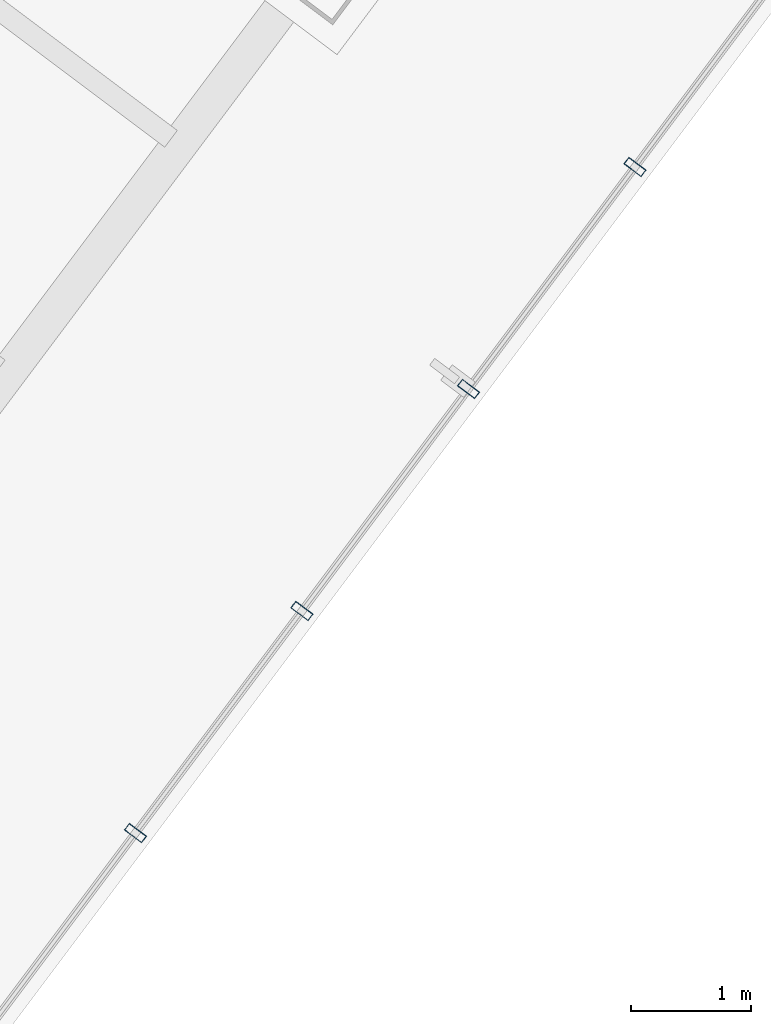
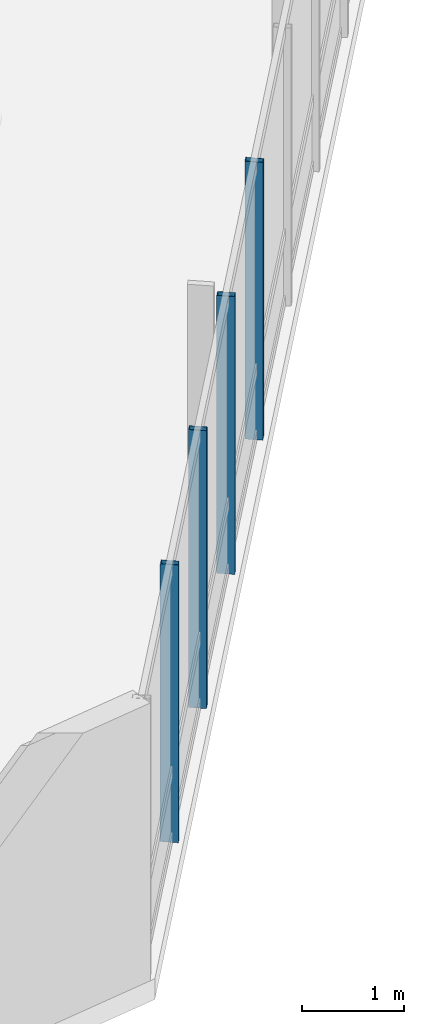
# One storey, part 8 of 29: 4 members, 1 element without a shape of its own.
"""IFC4 building model written with IfcOpenShell, lengths in metres."""

import ifcopenshell
import ifcopenshell.guid

model = None  # the IFC model being written
_history = None  # IfcOwnerHistory: only IFC2X3 demands one
_inside = {}  # id of a spatial element -> (the spatial element, [elements in it])
_under = {}  # id of a project, library or spatial element -> (it, [spatial elements below it])
_declared = {}  # id of a project -> (the project, [libraries it declares])
_typed = {}  # id of a type object -> (the type object, [elements of that type])
_made_of = {}  # id of a material, layer set ... -> (it, [elements and type objects made of it])


def new_model(schema):
    """Start an empty IFC model of exactly this schema.

    Asked for "IFC4X3", IfcOpenShell would pick the latest addendum, in which some entities
    have other attributes; the version numbers below select the first issue.
    IFC2X3 requires an IfcOwnerHistory on every rooted entity: one is made here for all.
    """
    global model, _history
    if schema == "IFC4X3":
        model = ifcopenshell.file(schema_version=(4, 3, 0, 0))
    else:
        model = ifcopenshell.file(schema=schema)
    _inside.clear()
    _under.clear()
    _declared.clear()
    _typed.clear()
    _made_of.clear()
    _history = None
    if model.schema == "IFC2X3":
        org = make("IfcOrganization", Name="unknown")
        user = make(
            "IfcPersonAndOrganization",
            ThePerson=make("IfcPerson", FamilyName="unknown"),
            TheOrganization=org,
        )
        app = make(
            "IfcApplication",
            ApplicationDeveloper=org,
            Version="unknown",
            ApplicationFullName="unknown",
            ApplicationIdentifier="unknown",
        )
        _history = make(
            "IfcOwnerHistory",
            OwningUser=user,
            OwningApplication=app,
            ChangeAction="ADDED",
            CreationDate=0,
        )
    return model


def make(cls, **values):
    """One entity of the class cls with the attributes given. An attribute that is None is left unset."""
    return model.create_entity(
        cls, **{name: value for name, value in values.items() if value is not None}
    )


def rooted(cls, **values):
    """An entity with a GlobalId (a new one), such as an element, a storey or a relation."""
    return make(cls, GlobalId=ifcopenshell.guid.new(), OwnerHistory=_history, **values)


def si_unit(unit_type, name, prefix=None):
    """IfcSIUnit, for example si_unit("LENGTHUNIT", "METRE", prefix="MILLI")."""
    return make("IfcSIUnit", UnitType=unit_type, Prefix=prefix, Name=name)


def assignment(units):
    """IfcUnitAssignment: the units of a project."""
    return None if units is None else make("IfcUnitAssignment", Units=units)


def point(xyz):
    """IfcCartesianPoint."""
    return None if xyz is None else make("IfcCartesianPoint", Coordinates=xyz)


def direction(xyz):
    """IfcDirection."""
    return None if xyz is None else make("IfcDirection", DirectionRatios=xyz)


def frame(location, z_axis=None, x_axis=None):
    """IfcAxis2Placement3D, a coordinate frame: its origin and axes. An axis left out is left unset."""
    return make(
        "IfcAxis2Placement3D",
        Location=point(location),
        Axis=direction(z_axis),
        RefDirection=direction(x_axis),
    )


def frame_2d(location, x_axis=None):
    """IfcAxis2Placement2D, a coordinate frame in the plane: its origin and x axis."""
    return make(
        "IfcAxis2Placement2D", Location=point(location), RefDirection=direction(x_axis)
    )


def origin():
    """The frame at (0, 0, 0) with its axes left unset."""
    return frame((0.0, 0.0, 0.0))


def origin_2d():
    """The frame at (0, 0) in the plane with its x axis left unset."""
    return frame_2d((0.0, 0.0))


def place(relative_to, where):
    """IfcLocalPlacement: puts the frame where relative to a parent placement (None: the world)."""
    return make(
        "IfcLocalPlacement", PlacementRelTo=relative_to, RelativePlacement=where
    )


def context(
    kind, dimensions, precision=None, world=None, true_north=None, identifier=None
):
    """IfcGeometricRepresentationContext, for example the 3D "Model" context."""
    return make(
        "IfcGeometricRepresentationContext",
        ContextIdentifier=identifier,
        ContextType=kind,
        CoordinateSpaceDimension=dimensions,
        Precision=precision,
        WorldCoordinateSystem=world,
        TrueNorth=true_north,
    )


def subcontext(parent, identifier, kind, view, scale=None):
    """IfcGeometricRepresentationSubContext, for example "Body" below "Model"."""
    return make(
        "IfcGeometricRepresentationSubContext",
        ContextIdentifier=identifier,
        ContextType=kind,
        ParentContext=parent,
        TargetScale=scale,
        TargetView=view,
    )


def project(units=None, contexts=None):
    """IfcProject with its units and contexts."""
    return rooted(
        "IfcProject",
        Name="project",
        RepresentationContexts=contexts,
        UnitsInContext=assignment(units),
    )


def spatial(cls, under=None, at=None, **own):
    """A site, building, storey or space (cls), placed at a placement, below another one or the project."""
    s = rooted(cls, ObjectPlacement=at, **own)
    if under is not None:
        _under.setdefault(under.id(), (under, []))[1].append(s)
    return s


def profile(cls, at=None, kind="AREA", **sizes):
    """A parametric profile (cls). Its sizes go by their IFC names, for example OverallWidth=200.0."""
    return make(cls, ProfileType=kind, Position=at, **sizes)


def hollow_rectangle(**sizes):
    """IfcRectangleHollowProfileDef."""
    return profile("IfcRectangleHollowProfileDef", **sizes)


def extrude(swept, where, along, depth):
    """IfcExtrudedAreaSolid: the profile swept, set in the frame where, extruded along a direction by depth."""
    return make(
        "IfcExtrudedAreaSolid",
        SweptArea=swept,
        Position=where,
        ExtrudedDirection=direction(along),
        Depth=depth,
    )


def shape(context_of_items, identifier, shape_type, items):
    """IfcShapeRepresentation: the items that make up one representation, for example the "Body"."""
    return make(
        "IfcShapeRepresentation",
        ContextOfItems=context_of_items,
        RepresentationIdentifier=identifier,
        RepresentationType=shape_type,
        Items=items,
    )


def material(Name=None, Category=None):
    """IfcMaterial."""
    return make("IfcMaterial", Name=Name, Category=Category)


def layer(
    of_material, thickness, ventilated=None, Name=None, Category=None, Priority=None
):
    """IfcMaterialLayer: one layer of a wall or slab, of a material (None: an air gap)."""
    return make(
        "IfcMaterialLayer",
        Material=of_material,
        LayerThickness=thickness,
        IsVentilated=ventilated,
        Name=Name,
        Category=Category,
        Priority=Priority,
    )


def layer_set(layers, Name=None):
    """IfcMaterialLayerSet."""
    return make("IfcMaterialLayerSet", MaterialLayers=layers, LayerSetName=Name)


def material_profile(
    of_material, cross_section, Name=None, Category=None, Priority=None
):
    """IfcMaterialProfile: a cross section and its material."""
    return make(
        "IfcMaterialProfile",
        Name=Name,
        Material=of_material,
        Profile=cross_section,
        Priority=Priority,
        Category=Category,
    )


def profile_set(profiles, Name=None, composite=None):
    """IfcMaterialProfileSet."""
    return make(
        "IfcMaterialProfileSet",
        Name=Name,
        MaterialProfiles=profiles,
        CompositeProfile=composite,
    )


def made_of(thing, what):
    """Note that an element or type object is made of a material, layer set ...; save() writes the relation."""
    if what is not None:
        _made_of.setdefault(what.id(), (what, []))[1].append(thing)
    return thing


def type_object(cls, material=None, **own):
    """A type object (cls), such as IfcWallType, which elements share."""
    return made_of(rooted(cls, **own), material)


def element(
    cls,
    number,
    at=None,
    inside=None,
    cuts=None,
    type_object=None,
    material=None,
    context=None,
    identifier="Body",
    shape_type=None,
    held_by="IfcProductDefinitionShape",
    body=None,
    shapes=None,
    **own,
):
    """One element of the class cls, such as IfcWall. Its Tag is "e" and its number.

    at: its placement. inside: the storey or other place that contains it. cuts: it is an
    opening in that element (IfcRelVoidsElement). A single representation is given by context,
    identifier, shape_type and body (its items); several are given by shapes. held_by: the class
    of the entity that holds the representations. save() writes the other relations.
    """
    e = rooted(cls, Tag="e%d" % number, ObjectPlacement=at, **own)
    if body is not None:
        shapes = [shape(context, identifier, shape_type, body)]
    if shapes is not None:
        e.Representation = make(held_by, Representations=shapes)
    if inside is not None:
        _inside.setdefault(inside.id(), (inside, []))[1].append(e)
    if cuts is not None:
        rooted(
            "IfcRelVoidsElement", RelatingBuildingElement=cuts, RelatedOpeningElement=e
        )
    if type_object is not None:
        _typed.setdefault(type_object.id(), (type_object, []))[1].append(e)
    return made_of(e, material)


def aggregate(whole, parts):
    """IfcRelAggregates: a whole, such as a stair, and the parts it consists of."""
    return rooted("IfcRelAggregates", RelatingObject=whole, RelatedObjects=parts)


def save(model, path):
    """Write the relations noted so far, then the file.

    IfcRelAggregates (storeys below a building ...), IfcRelContainedInSpatialStructure (elements
    in a storey), IfcRelDefinesByType, IfcRelAssociatesMaterial and IfcRelDeclares: one each for
    every whole, place, type object, material and project.
    """
    for whole, parts in _under.values():
        aggregate(whole, parts)
    for where, things in _inside.values():
        rooted(
            "IfcRelContainedInSpatialStructure",
            RelatedElements=things,
            RelatingStructure=where,
        )
    for kind, things in _typed.values():
        rooted("IfcRelDefinesByType", RelatedObjects=things, RelatingType=kind)
    for what, things in _made_of.values():
        rooted("IfcRelAssociatesMaterial", RelatedObjects=things, RelatingMaterial=what)
    for by, libraries in _declared.values():
        rooted("IfcRelDeclares", RelatingContext=by, RelatedDefinitions=libraries)
    model.write(path)


model = new_model("IFC4")

# Units and contexts
model_context = context("Model", 3, precision=1e-05, world=origin(), true_north=direction((0.0, 1.0)))
body_context = subcontext(model_context, "Body", "Model", "MODEL_VIEW")
ifc_project = project(units=[si_unit("LENGTHUNIT", "METRE"), si_unit("AREAUNIT", "SQUARE_METRE"), si_unit("VOLUMEUNIT", "CUBIC_METRE"), si_unit("PLANEANGLEUNIT", "RADIAN"), si_unit("MASSUNIT", "GRAM", prefix="KILO")], contexts=[model_context])

# Site, building, storey
site_placement = place(None, origin())
site = spatial("IfcSite", under=ifc_project, at=site_placement, CompositionType="ELEMENT")
building_placement = place(site_placement, origin())
building = spatial("IfcBuilding", under=site, at=building_placement, Name="Hatsunagi Terrace Concourse", CompositionType="ELEMENT")
storey_placement = place(building_placement, frame((0.0, 0.0, 126.449951171875)))
storey = spatial("IfcBuildingStorey", under=building, at=storey_placement, Name="L33", CompositionType="ELEMENT", Elevation=126.449951171875)

# Curtain wall, members
ifc_material_1 = material(Name="Anodised Aluminium Alloy 6063-T5", Category="aluminium")
ifc_layer = layer(ifc_material_1, 0.199951171875)
ifc_layer_set = layer_set([ifc_layer], Name="OfficeZone1_CW03")
curtain_wall_type = type_object("IfcCurtainWallType", Name="OfficeZone1_CW03", PredefinedType="NOTDEFINED", material=ifc_layer_set)
curtain_wall_placement = place(storey_placement, origin())
curtain_wall = element("IfcCurtainWall", 1, at=curtain_wall_placement, inside=storey, type_object=curtain_wall_type, Name="Unitised Curtain Wall CW-03 CW-L33-03", PredefinedType="NOTDEFINED")
ifc_material_2 = material(Name="Anodised Aluminium Alloy 6063-T5", Category="aluminium")
ifc_material_profile = material_profile(ifc_material_2, hollow_rectangle(XDim=0.070068359375, YDim=0.179931640625, WallThickness=0.00390625, at=origin_2d()), Name="ALU-MUL-180x70x4")
ifc_profile_set = profile_set([ifc_material_profile], Name="Anodised Aluminium Alloy 6063-T5")
member_type = type_object("IfcMemberType", Name="CurtainWallMullion_180x70", PredefinedType="MULLION", material=ifc_profile_set)
member_1_placement = place(storey_placement, frame((62.132080078125, 10.3759765625, 0.0), z_axis=(0.0, 0.0, 1.0), x_axis=(-0.599969314634, -0.800023013105, 0.0)))
member_1 = element("IfcMember", 2, at=member_1_placement, type_object=member_type, Name="Curtain Wall Mullion MUL-02", PredefinedType="MULLION", context=body_context, shape_type="SweptSolid", body=[
    extrude(hollow_rectangle(XDim=0.070068359375, YDim=0.179931640625, WallThickness=0.00390625, at=origin_2d()), origin(), (0.0, 0.0, 1.0), 3.340087890625),
])
member_2_placement = place(storey_placement, frame((60.739990234375, 8.51904296875, 0.0), z_axis=(0.0, 0.0, 1.0), x_axis=(-0.599969314634, -0.800023013105, 0.0)))
member_2 = element("IfcMember", 3, at=member_2_placement, type_object=member_type, Name="Curtain Wall Mullion MUL-02", PredefinedType="MULLION", context=body_context, shape_type="SweptSolid", body=[
    extrude(hollow_rectangle(XDim=0.070068359375, YDim=0.179931640625, WallThickness=0.00390625, at=origin_2d()), origin(), (0.0, 0.0, 1.0), 3.340087890625),
])
member_3_placement = place(storey_placement, frame((59.346923828125, 6.6630859375, 0.0), z_axis=(0.0, 0.0, 1.0), x_axis=(-0.599969314634, -0.800023013105, 0.0)))
member_3 = element("IfcMember", 4, at=member_3_placement, type_object=member_type, Name="Curtain Wall Mullion MUL-02", PredefinedType="MULLION", context=body_context, shape_type="SweptSolid", body=[
    extrude(hollow_rectangle(XDim=0.070068359375, YDim=0.179931640625, WallThickness=0.00390625, at=origin_2d()), origin(), (0.0, 0.0, 1.0), 3.340087890625),
])
member_4_placement = place(storey_placement, frame((57.955078125, 4.805908203125, 0.0), z_axis=(0.0, 0.0, 1.0), x_axis=(-0.599969314634, -0.800023013105, 0.0)))
member_4 = element("IfcMember", 5, at=member_4_placement, type_object=member_type, Name="Curtain Wall Mullion MUL-02", PredefinedType="MULLION", context=body_context, shape_type="SweptSolid", body=[
    extrude(hollow_rectangle(XDim=0.070068359375, YDim=0.179931640625, WallThickness=0.00390625, at=origin_2d()), origin(), (0.0, 0.0, 1.0), 3.340087890625),
])
aggregate(curtain_wall, [member_1, member_2, member_3, member_4])

save(model, "model.ifc")
